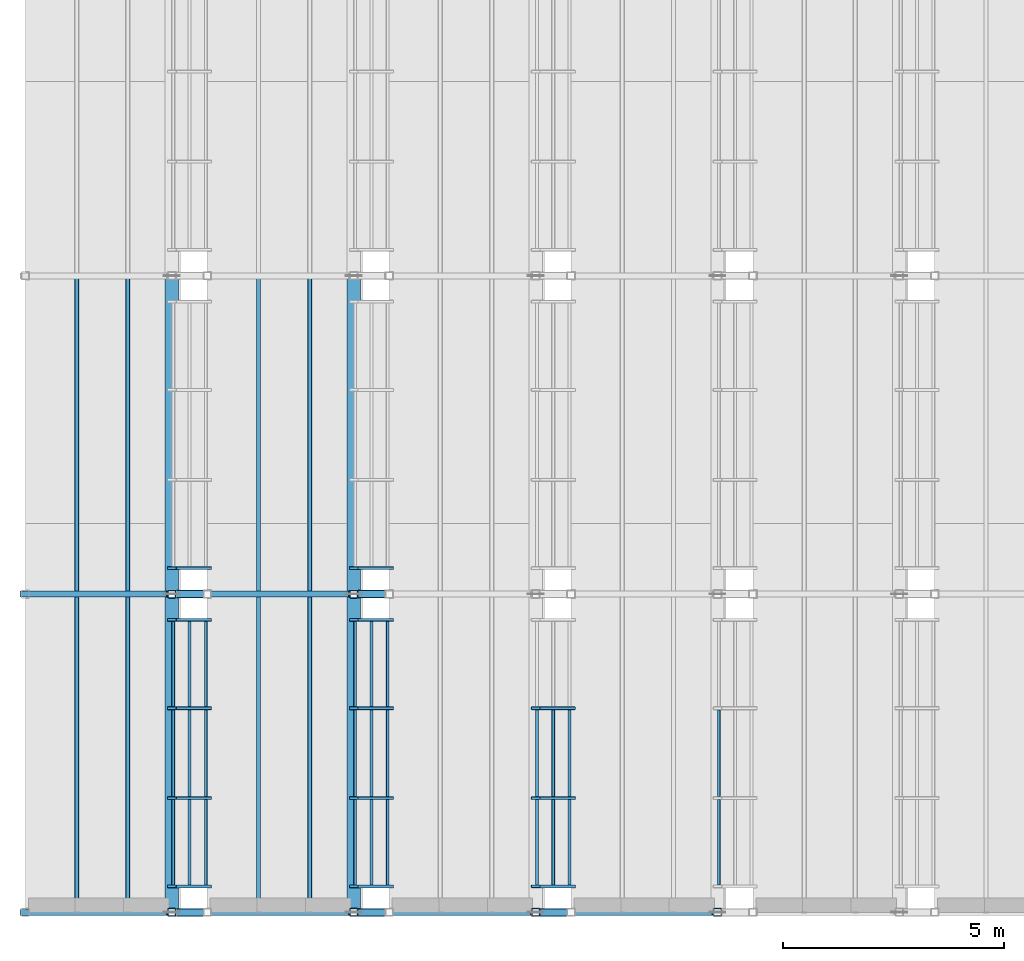
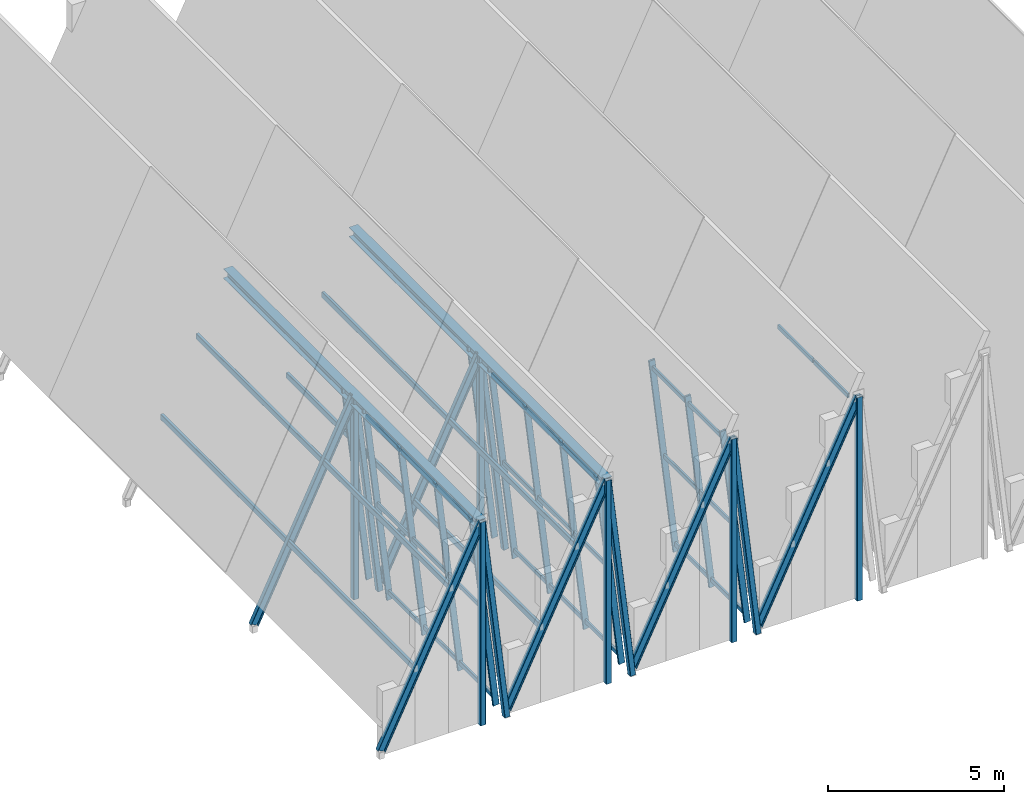
# One storey, part 1 of 28: 60 members, 2 beams, 6 elements without a shape of their own.
"""IFC4 building model written with IfcOpenShell, lengths in metres."""

from ifc_helpers import new_model, si_unit, direction, frame, origin, origin_2d, place, context, subcontext, project, spatial, hollow_rectangle, i_section, extrude, material, material_profile, profile_set, type_object, element, aggregate, save


model = new_model("IFC4")

# Units and contexts
model_context = context("Model", 3, precision=1e-05, world=origin(), true_north=direction((0.0, 1.0)))
body_context = subcontext(model_context, "Body", "Model", "MODEL_VIEW")
ifc_project = project(units=[si_unit("LENGTHUNIT", "METRE"), si_unit("AREAUNIT", "SQUARE_METRE"), si_unit("VOLUMEUNIT", "CUBIC_METRE"), si_unit("PLANEANGLEUNIT", "RADIAN"), si_unit("MASSUNIT", "GRAM", prefix="KILO")], contexts=[model_context])

# Site, building, storey
site_placement = place(None, origin())
site = spatial("IfcSite", under=ifc_project, at=site_placement, CompositionType="ELEMENT")
building_placement = place(site_placement, origin())
building = spatial("IfcBuilding", under=site, at=building_placement, Name="Bramveld Media Centre", CompositionType="ELEMENT")
storey_placement = place(building_placement, frame((0.0, 0.0, 33.89990234375)))
storey = spatial("IfcBuildingStorey", under=building, at=storey_placement, Name="ROOF", CompositionType="ELEMENT", Elevation=33.89990234375)

# Curtain wall, members
ifc_material_1 = material(Name="Thermally broken anodized bronze aluminium unitized curtain wall with solar-control triple glazing", Category="aluminium")
curtain_wall_type = type_object("IfcCurtainWallType", Name="CW-CRN-6100x6941", PredefinedType="NOTDEFINED", material=ifc_material_1)
curtain_wall_1_placement = place(storey_placement, origin())
curtain_wall_1 = element("IfcCurtainWall", 1, at=curtain_wall_1_placement, inside=storey, type_object=curtain_wall_type, Name="V7 crown clerestory B1-S1", PredefinedType="NOTDEFINED")
ifc_material_2 = material(Name="Thermally broken anodized bronze aluminium EN AW-6063 T6 curtain-wall framing", Category="aluminium")
ifc_material_profile_1 = material_profile(ifc_material_2, hollow_rectangle(XDim=0.070068359375, YDim=0.199951171875, WallThickness=0.00439453125, InnerFilletRadius=0.00439453125, OuterFilletRadius=0.009033203125, at=origin_2d()), Name="AL-MULL 70x200")
ifc_profile_set_1 = profile_set([ifc_material_profile_1], Name="Thermally broken anodized bronze aluminium EN AW-6063 T6 curtain-wall framing")
member_type_1 = type_object("IfcMemberType", Name="CW-MULL-SLP", PredefinedType="MULLION", material=ifc_profile_set_1)
member_1_placement = place(storey_placement, frame((135.314208984375, 83.784912109375, -0.02001953125), z_axis=(-0.115228868081, 0.0, 0.993338969315), x_axis=(0.0, -1.0, 0.0)))
member_1 = element("IfcMember", 2, at=member_1_placement, type_object=member_type_1, Name="CW-CR-6169 sloped mullion 1", PredefinedType="MULLION", context=body_context, shape_type="SweptSolid", body=[
    extrude(hollow_rectangle(XDim=0.070068359375, YDim=0.199951171875, WallThickness=0.00439453125, InnerFilletRadius=0.00439453125, OuterFilletRadius=0.009033203125, at=origin_2d()), origin(), (0.0, 0.0, 1.0), 6.94091796875),
])
member_2_placement = place(storey_placement, frame((135.314208984375, 85.783203125, -0.02001953125), z_axis=(-0.115228868081, 0.0, 0.993338969315), x_axis=(0.0, -1.0, 0.0)))
member_2 = element("IfcMember", 3, at=member_2_placement, type_object=member_type_1, Name="CW-CR-6169 sloped mullion 2", PredefinedType="MULLION", context=body_context, shape_type="SweptSolid", body=[
    extrude(hollow_rectangle(XDim=0.070068359375, YDim=0.199951171875, WallThickness=0.00439453125, InnerFilletRadius=0.00439453125, OuterFilletRadius=0.009033203125, at=origin_2d()), origin(), (0.0, 0.0, 1.0), 6.94091796875),
])
member_3_placement = place(storey_placement, frame((135.314208984375, 87.816650390625, -0.02001953125), z_axis=(-0.115228868081, 0.0, 0.993338969315), x_axis=(0.0, -1.0, 0.0)))
member_3 = element("IfcMember", 4, at=member_3_placement, type_object=member_type_1, Name="CW-CR-6169 sloped mullion 3", PredefinedType="MULLION", context=body_context, shape_type="SweptSolid", body=[
    extrude(hollow_rectangle(XDim=0.070068359375, YDim=0.199951171875, WallThickness=0.00439453125, InnerFilletRadius=0.00439453125, OuterFilletRadius=0.009033203125, at=origin_2d()), origin(), (0.0, 0.0, 1.0), 6.94091796875),
])
member_4_placement = place(storey_placement, frame((135.314208984375, 89.81494140625, -0.02001953125), z_axis=(-0.115228868081, 0.0, 0.993338969315), x_axis=(0.0, -1.0, 0.0)))
member_4 = element("IfcMember", 5, at=member_4_placement, type_object=member_type_1, Name="CW-CR-6169 sloped mullion 4", PredefinedType="MULLION", context=body_context, shape_type="SweptSolid", body=[
    extrude(hollow_rectangle(XDim=0.070068359375, YDim=0.199951171875, WallThickness=0.00439453125, InnerFilletRadius=0.00439453125, OuterFilletRadius=0.009033203125, at=origin_2d()), origin(), (0.0, 0.0, 1.0), 6.94091796875),
])

# Curtain wall, member
curtain_wall_2_placement = place(storey_placement, origin())
curtain_wall_2 = element("IfcCurtainWall", 6, at=curtain_wall_2_placement, inside=storey, type_object=curtain_wall_type, Name="V7 crown clerestory B1-S2", PredefinedType="NOTDEFINED")
member_5_placement = place(storey_placement, frame((135.314208984375, 90.985107421875, -0.02001953125), z_axis=(-0.115228868081, 0.0, 0.993338969315), x_axis=(0.0, -1.0, 0.0)))
member_5 = element("IfcMember", 7, at=member_5_placement, type_object=member_type_1, Name="CW-CR-6169 sloped mullion 1", PredefinedType="MULLION", context=body_context, shape_type="SweptSolid", body=[
    extrude(hollow_rectangle(XDim=0.070068359375, YDim=0.199951171875, WallThickness=0.00439453125, InnerFilletRadius=0.00439453125, OuterFilletRadius=0.009033203125, at=origin_2d()), origin(), (0.0, 0.0, 1.0), 6.94091796875),
])
aggregate(curtain_wall_2, [member_5])

# Curtain wall, members
curtain_wall_3_placement = place(storey_placement, origin())
curtain_wall_3 = element("IfcCurtainWall", 8, at=curtain_wall_3_placement, inside=storey, type_object=curtain_wall_type, Name="V7 crown clerestory B2-S1", PredefinedType="NOTDEFINED")
member_6_placement = place(storey_placement, frame((139.4287109375, 83.784912109375, -0.02001953125), z_axis=(-0.115263574492, 0.0, 0.993334942703), x_axis=(0.0, -1.0, 0.0)))
member_6 = element("IfcMember", 9, at=member_6_placement, type_object=member_type_1, Name="CW-CR-6169 sloped mullion 1", PredefinedType="MULLION", context=body_context, shape_type="SweptSolid", body=[
    extrude(hollow_rectangle(XDim=0.070068359375, YDim=0.199951171875, WallThickness=0.00439453125, InnerFilletRadius=0.00439453125, OuterFilletRadius=0.009033203125, at=origin_2d()), origin(), (0.0, 0.0, 1.0), 6.94091796875),
])
member_7_placement = place(storey_placement, frame((139.4287109375, 85.783203125, -0.02001953125), z_axis=(-0.115263574492, 0.0, 0.993334942703), x_axis=(0.0, -1.0, 0.0)))
member_7 = element("IfcMember", 10, at=member_7_placement, type_object=member_type_1, Name="CW-CR-6169 sloped mullion 2", PredefinedType="MULLION", context=body_context, shape_type="SweptSolid", body=[
    extrude(hollow_rectangle(XDim=0.070068359375, YDim=0.199951171875, WallThickness=0.00439453125, InnerFilletRadius=0.00439453125, OuterFilletRadius=0.009033203125, at=origin_2d()), origin(), (0.0, 0.0, 1.0), 6.94091796875),
])
member_8_placement = place(storey_placement, frame((139.4287109375, 87.816650390625, -0.02001953125), z_axis=(-0.115263574492, 0.0, 0.993334942703), x_axis=(0.0, -1.0, 0.0)))
member_8 = element("IfcMember", 11, at=member_8_placement, type_object=member_type_1, Name="CW-CR-6169 sloped mullion 3", PredefinedType="MULLION", context=body_context, shape_type="SweptSolid", body=[
    extrude(hollow_rectangle(XDim=0.070068359375, YDim=0.199951171875, WallThickness=0.00439453125, InnerFilletRadius=0.00439453125, OuterFilletRadius=0.009033203125, at=origin_2d()), origin(), (0.0, 0.0, 1.0), 6.94091796875),
])
member_9_placement = place(storey_placement, frame((139.4287109375, 89.81494140625, -0.02001953125), z_axis=(-0.115263574492, 0.0, 0.993334942703), x_axis=(0.0, -1.0, 0.0)))
member_9 = element("IfcMember", 12, at=member_9_placement, type_object=member_type_1, Name="CW-CR-6169 sloped mullion 4", PredefinedType="MULLION", context=body_context, shape_type="SweptSolid", body=[
    extrude(hollow_rectangle(XDim=0.070068359375, YDim=0.199951171875, WallThickness=0.00439453125, InnerFilletRadius=0.00439453125, OuterFilletRadius=0.009033203125, at=origin_2d()), origin(), (0.0, 0.0, 1.0), 6.94091796875),
])

# Curtain wall, member
curtain_wall_4_placement = place(storey_placement, origin())
curtain_wall_4 = element("IfcCurtainWall", 13, at=curtain_wall_4_placement, inside=storey, type_object=curtain_wall_type, Name="V7 crown clerestory B2-S2", PredefinedType="NOTDEFINED")
member_10_placement = place(storey_placement, frame((139.4287109375, 90.985107421875, -0.02001953125), z_axis=(-0.115263574492, 0.0, 0.993334942703), x_axis=(0.0, -1.0, 0.0)))
member_10 = element("IfcMember", 14, at=member_10_placement, type_object=member_type_1, Name="CW-CR-6169 sloped mullion 1", PredefinedType="MULLION", context=body_context, shape_type="SweptSolid", body=[
    extrude(hollow_rectangle(XDim=0.070068359375, YDim=0.199951171875, WallThickness=0.00439453125, InnerFilletRadius=0.00439453125, OuterFilletRadius=0.009033203125, at=origin_2d()), origin(), (0.0, 0.0, 1.0), 6.94091796875),
])
aggregate(curtain_wall_4, [member_10])

# Curtain wall, members
curtain_wall_5_placement = place(storey_placement, origin())
curtain_wall_5 = element("IfcCurtainWall", 15, at=curtain_wall_5_placement, inside=storey, type_object=curtain_wall_type, Name="V7 crown clerestory B3-S1", PredefinedType="NOTDEFINED")
member_11_placement = place(storey_placement, frame((143.54296875, 83.784912109375, -0.02001953125), z_axis=(-0.115263574492, 0.0, 0.993334942703), x_axis=(0.0, -1.0, 0.0)))
member_11 = element("IfcMember", 16, at=member_11_placement, type_object=member_type_1, Name="CW-CR-6169 sloped mullion 1", PredefinedType="MULLION", context=body_context, shape_type="SweptSolid", body=[
    extrude(hollow_rectangle(XDim=0.070068359375, YDim=0.199951171875, WallThickness=0.00439453125, InnerFilletRadius=0.00439453125, OuterFilletRadius=0.009033203125, at=origin_2d()), origin(), (0.0, 0.0, 1.0), 6.94091796875),
])
member_12_placement = place(storey_placement, frame((143.54296875, 85.783203125, -0.02001953125), z_axis=(-0.115263574492, 0.0, 0.993334942703), x_axis=(0.0, -1.0, 0.0)))
member_12 = element("IfcMember", 17, at=member_12_placement, type_object=member_type_1, Name="CW-CR-6169 sloped mullion 2", PredefinedType="MULLION", context=body_context, shape_type="SweptSolid", body=[
    extrude(hollow_rectangle(XDim=0.070068359375, YDim=0.199951171875, WallThickness=0.00439453125, InnerFilletRadius=0.00439453125, OuterFilletRadius=0.009033203125, at=origin_2d()), origin(), (0.0, 0.0, 1.0), 6.94091796875),
])
member_13_placement = place(storey_placement, frame((143.54296875, 87.816650390625, -0.02001953125), z_axis=(-0.115263574492, 0.0, 0.993334942703), x_axis=(0.0, -1.0, 0.0)))
member_13 = element("IfcMember", 18, at=member_13_placement, type_object=member_type_1, Name="CW-CR-6169 sloped mullion 3", PredefinedType="MULLION", context=body_context, shape_type="SweptSolid", body=[
    extrude(hollow_rectangle(XDim=0.070068359375, YDim=0.199951171875, WallThickness=0.00439453125, InnerFilletRadius=0.00439453125, OuterFilletRadius=0.009033203125, at=origin_2d()), origin(), (0.0, 0.0, 1.0), 6.94091796875),
])

# Member
ifc_material_3 = material(Name="Thermally broken anodized bronze aluminium EN AW-6063 T6 curtain-wall framing", Category="aluminium")
ifc_material_profile_2 = material_profile(ifc_material_3, hollow_rectangle(XDim=0.070068359375, YDim=0.14990234375, WallThickness=0.00390625, InnerFilletRadius=0.00390625, OuterFilletRadius=0.008056640625, at=origin_2d()), Name="AL-TRAN 70x150")
ifc_profile_set_2 = profile_set([ifc_material_profile_2], Name="Thermally broken anodized bronze aluminium EN AW-6063 T6 curtain-wall framing")
member_type_2 = type_object("IfcMemberType", Name="CW-TRAN-SLP", PredefinedType="USERDEFINED", material=ifc_profile_set_2)
member_14_placement = place(storey_placement, frame((135.2822265625, 83.820068359375, 0.255859375), z_axis=(0.0, 1.0, 0.0), x_axis=(-1.0, 0.0, 0.0)))
member_14 = element("IfcMember", 19, at=member_14_placement, type_object=member_type_2, Name="CW-CR-6169 transom 1.1", ObjectType="TRANSOM", PredefinedType="USERDEFINED", context=body_context, shape_type="SweptSolid", body=[
    extrude(hollow_rectangle(XDim=0.070068359375, YDim=0.14990234375, WallThickness=0.00390625, InnerFilletRadius=0.00390625, OuterFilletRadius=0.008056640625, at=origin_2d()), origin(), (0.0, 0.0, 1.0), 1.92822265625),
])

member_15_placement = place(storey_placement, frame((134.914306640625, 83.820068359375, 3.427490234375), z_axis=(0.0, 1.0, 0.0), x_axis=(-1.0, 0.0, 0.0)))
member_15 = element("IfcMember", 20, at=member_15_placement, type_object=member_type_2, Name="CW-CR-6169 transom 1.2", ObjectType="TRANSOM", PredefinedType="USERDEFINED", context=body_context, shape_type="SweptSolid", body=[
    extrude(hollow_rectangle(XDim=0.070068359375, YDim=0.14990234375, WallThickness=0.00390625, InnerFilletRadius=0.00390625, OuterFilletRadius=0.008056640625, at=origin_2d()), origin(), (0.0, 0.0, 1.0), 1.92822265625),
])

member_16_placement = place(storey_placement, frame((134.54638671875, 83.820068359375, 6.598876953125), z_axis=(0.0, 1.0, 0.0), x_axis=(-1.0, 0.0, 0.0)))
member_16 = element("IfcMember", 21, at=member_16_placement, type_object=member_type_2, Name="CW-CR-6169 transom 1.3", ObjectType="TRANSOM", PredefinedType="USERDEFINED", context=body_context, shape_type="SweptSolid", body=[
    extrude(hollow_rectangle(XDim=0.070068359375, YDim=0.14990234375, WallThickness=0.00390625, InnerFilletRadius=0.00390625, OuterFilletRadius=0.008056640625, at=origin_2d()), origin(), (0.0, 0.0, 1.0), 1.92822265625),
])

member_17_placement = place(storey_placement, frame((135.2822265625, 85.818359375, 0.255859375), z_axis=(0.0, 1.0, 0.0), x_axis=(-1.0, 0.0, 0.0)))
member_17 = element("IfcMember", 22, at=member_17_placement, type_object=member_type_2, Name="CW-CR-6169 transom 2.1", ObjectType="TRANSOM", PredefinedType="USERDEFINED", context=body_context, shape_type="SweptSolid", body=[
    extrude(hollow_rectangle(XDim=0.070068359375, YDim=0.14990234375, WallThickness=0.00390625, InnerFilletRadius=0.00390625, OuterFilletRadius=0.008056640625, at=origin_2d()), origin(), (0.0, 0.0, 1.0), 1.96337890625),
])

member_18_placement = place(storey_placement, frame((134.914306640625, 85.818359375, 3.427490234375), z_axis=(0.0, 1.0, 0.0), x_axis=(-1.0, 0.0, 0.0)))
member_18 = element("IfcMember", 23, at=member_18_placement, type_object=member_type_2, Name="CW-CR-6169 transom 2.2", ObjectType="TRANSOM", PredefinedType="USERDEFINED", context=body_context, shape_type="SweptSolid", body=[
    extrude(hollow_rectangle(XDim=0.070068359375, YDim=0.14990234375, WallThickness=0.00390625, InnerFilletRadius=0.00390625, OuterFilletRadius=0.008056640625, at=origin_2d()), origin(), (0.0, 0.0, 1.0), 1.96337890625),
])

member_19_placement = place(storey_placement, frame((134.54638671875, 85.818359375, 6.598876953125), z_axis=(0.0, 1.0, 0.0), x_axis=(-1.0, 0.0, 0.0)))
member_19 = element("IfcMember", 24, at=member_19_placement, type_object=member_type_2, Name="CW-CR-6169 transom 2.3", ObjectType="TRANSOM", PredefinedType="USERDEFINED", context=body_context, shape_type="SweptSolid", body=[
    extrude(hollow_rectangle(XDim=0.070068359375, YDim=0.14990234375, WallThickness=0.00390625, InnerFilletRadius=0.00390625, OuterFilletRadius=0.008056640625, at=origin_2d()), origin(), (0.0, 0.0, 1.0), 1.96337890625),
])

member_20_placement = place(storey_placement, frame((135.2822265625, 87.851806640625, 0.255859375), z_axis=(0.0, 1.0, 0.0), x_axis=(-1.0, 0.0, 0.0)))
member_20 = element("IfcMember", 25, at=member_20_placement, type_object=member_type_2, Name="CW-CR-6169 transom 3.1", ObjectType="TRANSOM", PredefinedType="USERDEFINED", context=body_context, shape_type="SweptSolid", body=[
    extrude(hollow_rectangle(XDim=0.070068359375, YDim=0.14990234375, WallThickness=0.00390625, InnerFilletRadius=0.00390625, OuterFilletRadius=0.008056640625, at=origin_2d()), origin(), (0.0, 0.0, 1.0), 1.92822265625),
])

member_21_placement = place(storey_placement, frame((134.914306640625, 87.851806640625, 3.427490234375), z_axis=(0.0, 1.0, 0.0), x_axis=(-1.0, 0.0, 0.0)))
member_21 = element("IfcMember", 26, at=member_21_placement, type_object=member_type_2, Name="CW-CR-6169 transom 3.2", ObjectType="TRANSOM", PredefinedType="USERDEFINED", context=body_context, shape_type="SweptSolid", body=[
    extrude(hollow_rectangle(XDim=0.070068359375, YDim=0.14990234375, WallThickness=0.00390625, InnerFilletRadius=0.00390625, OuterFilletRadius=0.008056640625, at=origin_2d()), origin(), (0.0, 0.0, 1.0), 1.92822265625),
])

member_22_placement = place(storey_placement, frame((134.54638671875, 87.851806640625, 6.598876953125), z_axis=(0.0, 1.0, 0.0), x_axis=(-1.0, 0.0, 0.0)))
member_22 = element("IfcMember", 27, at=member_22_placement, type_object=member_type_2, Name="CW-CR-6169 transom 3.3", ObjectType="TRANSOM", PredefinedType="USERDEFINED", context=body_context, shape_type="SweptSolid", body=[
    extrude(hollow_rectangle(XDim=0.070068359375, YDim=0.14990234375, WallThickness=0.00390625, InnerFilletRadius=0.00390625, OuterFilletRadius=0.008056640625, at=origin_2d()), origin(), (0.0, 0.0, 1.0), 1.92822265625),
])

aggregate(curtain_wall_1, [member_1, member_2, member_3, member_4, member_14, member_15, member_16, member_17, member_18, member_19, member_20, member_21, member_22])

member_23_placement = place(storey_placement, frame((139.396484375, 83.820068359375, 0.255859375), z_axis=(0.0, 1.0, 0.0), x_axis=(-1.0, 0.0, 0.0)))
member_23 = element("IfcMember", 28, at=member_23_placement, type_object=member_type_2, Name="CW-CR-6169 transom 1.1", ObjectType="TRANSOM", PredefinedType="USERDEFINED", context=body_context, shape_type="SweptSolid", body=[
    extrude(hollow_rectangle(XDim=0.070068359375, YDim=0.14990234375, WallThickness=0.00390625, InnerFilletRadius=0.00390625, OuterFilletRadius=0.008056640625, at=origin_2d()), origin(), (0.0, 0.0, 1.0), 1.92822265625),
])

member_24_placement = place(storey_placement, frame((139.028564453125, 83.820068359375, 3.427490234375), z_axis=(0.0, 1.0, 0.0), x_axis=(-1.0, 0.0, 0.0)))
member_24 = element("IfcMember", 29, at=member_24_placement, type_object=member_type_2, Name="CW-CR-6169 transom 1.2", ObjectType="TRANSOM", PredefinedType="USERDEFINED", context=body_context, shape_type="SweptSolid", body=[
    extrude(hollow_rectangle(XDim=0.070068359375, YDim=0.14990234375, WallThickness=0.00390625, InnerFilletRadius=0.00390625, OuterFilletRadius=0.008056640625, at=origin_2d()), origin(), (0.0, 0.0, 1.0), 1.92822265625),
])

member_25_placement = place(storey_placement, frame((138.66064453125, 83.820068359375, 6.598876953125), z_axis=(0.0, 1.0, 0.0), x_axis=(-1.0, 0.0, 0.0)))
member_25 = element("IfcMember", 30, at=member_25_placement, type_object=member_type_2, Name="CW-CR-6169 transom 1.3", ObjectType="TRANSOM", PredefinedType="USERDEFINED", context=body_context, shape_type="SweptSolid", body=[
    extrude(hollow_rectangle(XDim=0.070068359375, YDim=0.14990234375, WallThickness=0.00390625, InnerFilletRadius=0.00390625, OuterFilletRadius=0.008056640625, at=origin_2d()), origin(), (0.0, 0.0, 1.0), 1.92822265625),
])

member_26_placement = place(storey_placement, frame((139.396484375, 85.818359375, 0.255859375), z_axis=(0.0, 1.0, 0.0), x_axis=(-1.0, 0.0, 0.0)))
member_26 = element("IfcMember", 31, at=member_26_placement, type_object=member_type_2, Name="CW-CR-6169 transom 2.1", ObjectType="TRANSOM", PredefinedType="USERDEFINED", context=body_context, shape_type="SweptSolid", body=[
    extrude(hollow_rectangle(XDim=0.070068359375, YDim=0.14990234375, WallThickness=0.00390625, InnerFilletRadius=0.00390625, OuterFilletRadius=0.008056640625, at=origin_2d()), origin(), (0.0, 0.0, 1.0), 1.96337890625),
])

member_27_placement = place(storey_placement, frame((139.028564453125, 85.818359375, 3.427490234375), z_axis=(0.0, 1.0, 0.0), x_axis=(-1.0, 0.0, 0.0)))
member_27 = element("IfcMember", 32, at=member_27_placement, type_object=member_type_2, Name="CW-CR-6169 transom 2.2", ObjectType="TRANSOM", PredefinedType="USERDEFINED", context=body_context, shape_type="SweptSolid", body=[
    extrude(hollow_rectangle(XDim=0.070068359375, YDim=0.14990234375, WallThickness=0.00390625, InnerFilletRadius=0.00390625, OuterFilletRadius=0.008056640625, at=origin_2d()), origin(), (0.0, 0.0, 1.0), 1.96337890625),
])

member_28_placement = place(storey_placement, frame((138.66064453125, 85.818359375, 6.598876953125), z_axis=(0.0, 1.0, 0.0), x_axis=(-1.0, 0.0, 0.0)))
member_28 = element("IfcMember", 33, at=member_28_placement, type_object=member_type_2, Name="CW-CR-6169 transom 2.3", ObjectType="TRANSOM", PredefinedType="USERDEFINED", context=body_context, shape_type="SweptSolid", body=[
    extrude(hollow_rectangle(XDim=0.070068359375, YDim=0.14990234375, WallThickness=0.00390625, InnerFilletRadius=0.00390625, OuterFilletRadius=0.008056640625, at=origin_2d()), origin(), (0.0, 0.0, 1.0), 1.96337890625),
])

member_29_placement = place(storey_placement, frame((139.396484375, 87.851806640625, 0.255859375), z_axis=(0.0, 1.0, 0.0), x_axis=(-1.0, 0.0, 0.0)))
member_29 = element("IfcMember", 34, at=member_29_placement, type_object=member_type_2, Name="CW-CR-6169 transom 3.1", ObjectType="TRANSOM", PredefinedType="USERDEFINED", context=body_context, shape_type="SweptSolid", body=[
    extrude(hollow_rectangle(XDim=0.070068359375, YDim=0.14990234375, WallThickness=0.00390625, InnerFilletRadius=0.00390625, OuterFilletRadius=0.008056640625, at=origin_2d()), origin(), (0.0, 0.0, 1.0), 1.92822265625),
])

member_30_placement = place(storey_placement, frame((139.028564453125, 87.851806640625, 3.427490234375), z_axis=(0.0, 1.0, 0.0), x_axis=(-1.0, 0.0, 0.0)))
member_30 = element("IfcMember", 35, at=member_30_placement, type_object=member_type_2, Name="CW-CR-6169 transom 3.2", ObjectType="TRANSOM", PredefinedType="USERDEFINED", context=body_context, shape_type="SweptSolid", body=[
    extrude(hollow_rectangle(XDim=0.070068359375, YDim=0.14990234375, WallThickness=0.00390625, InnerFilletRadius=0.00390625, OuterFilletRadius=0.008056640625, at=origin_2d()), origin(), (0.0, 0.0, 1.0), 1.92822265625),
])

member_31_placement = place(storey_placement, frame((138.66064453125, 87.851806640625, 6.598876953125), z_axis=(0.0, 1.0, 0.0), x_axis=(-1.0, 0.0, 0.0)))
member_31 = element("IfcMember", 36, at=member_31_placement, type_object=member_type_2, Name="CW-CR-6169 transom 3.3", ObjectType="TRANSOM", PredefinedType="USERDEFINED", context=body_context, shape_type="SweptSolid", body=[
    extrude(hollow_rectangle(XDim=0.070068359375, YDim=0.14990234375, WallThickness=0.00390625, InnerFilletRadius=0.00390625, OuterFilletRadius=0.008056640625, at=origin_2d()), origin(), (0.0, 0.0, 1.0), 1.92822265625),
])

aggregate(curtain_wall_3, [member_6, member_7, member_8, member_9, member_23, member_24, member_25, member_26, member_27, member_28, member_29, member_30, member_31])

member_32_placement = place(storey_placement, frame((143.510986328125, 83.820068359375, 0.255859375), z_axis=(0.0, 1.0, 0.0), x_axis=(-1.0, 0.0, 0.0)))
member_32 = element("IfcMember", 37, at=member_32_placement, type_object=member_type_2, Name="CW-CR-6169 transom 1.1", ObjectType="TRANSOM", PredefinedType="USERDEFINED", context=body_context, shape_type="SweptSolid", body=[
    extrude(hollow_rectangle(XDim=0.070068359375, YDim=0.14990234375, WallThickness=0.00390625, InnerFilletRadius=0.00390625, OuterFilletRadius=0.008056640625, at=origin_2d()), origin(), (0.0, 0.0, 1.0), 1.92822265625),
])

member_33_placement = place(storey_placement, frame((143.142822265625, 83.820068359375, 3.427490234375), z_axis=(0.0, 1.0, 0.0), x_axis=(-1.0, 0.0, 0.0)))
member_33 = element("IfcMember", 38, at=member_33_placement, type_object=member_type_2, Name="CW-CR-6169 transom 1.2", ObjectType="TRANSOM", PredefinedType="USERDEFINED", context=body_context, shape_type="SweptSolid", body=[
    extrude(hollow_rectangle(XDim=0.070068359375, YDim=0.14990234375, WallThickness=0.00390625, InnerFilletRadius=0.00390625, OuterFilletRadius=0.008056640625, at=origin_2d()), origin(), (0.0, 0.0, 1.0), 1.92822265625),
])

member_34_placement = place(storey_placement, frame((142.77490234375, 83.820068359375, 6.598876953125), z_axis=(0.0, 1.0, 0.0), x_axis=(-1.0, 0.0, 0.0)))
member_34 = element("IfcMember", 39, at=member_34_placement, type_object=member_type_2, Name="CW-CR-6169 transom 1.3", ObjectType="TRANSOM", PredefinedType="USERDEFINED", context=body_context, shape_type="SweptSolid", body=[
    extrude(hollow_rectangle(XDim=0.070068359375, YDim=0.14990234375, WallThickness=0.00390625, InnerFilletRadius=0.00390625, OuterFilletRadius=0.008056640625, at=origin_2d()), origin(), (0.0, 0.0, 1.0), 1.92822265625),
])

member_35_placement = place(storey_placement, frame((143.510986328125, 85.818359375, 0.255859375), z_axis=(0.0, 1.0, 0.0), x_axis=(-1.0, 0.0, 0.0)))
member_35 = element("IfcMember", 40, at=member_35_placement, type_object=member_type_2, Name="CW-CR-6169 transom 2.1", ObjectType="TRANSOM", PredefinedType="USERDEFINED", context=body_context, shape_type="SweptSolid", body=[
    extrude(hollow_rectangle(XDim=0.070068359375, YDim=0.14990234375, WallThickness=0.00390625, InnerFilletRadius=0.00390625, OuterFilletRadius=0.008056640625, at=origin_2d()), origin(), (0.0, 0.0, 1.0), 1.96337890625),
])

member_36_placement = place(storey_placement, frame((143.142822265625, 85.818359375, 3.427490234375), z_axis=(0.0, 1.0, 0.0), x_axis=(-1.0, 0.0, 0.0)))
member_36 = element("IfcMember", 41, at=member_36_placement, type_object=member_type_2, Name="CW-CR-6169 transom 2.2", ObjectType="TRANSOM", PredefinedType="USERDEFINED", context=body_context, shape_type="SweptSolid", body=[
    extrude(hollow_rectangle(XDim=0.070068359375, YDim=0.14990234375, WallThickness=0.00390625, InnerFilletRadius=0.00390625, OuterFilletRadius=0.008056640625, at=origin_2d()), origin(), (0.0, 0.0, 1.0), 1.96337890625),
])

member_37_placement = place(storey_placement, frame((142.77490234375, 85.818359375, 6.598876953125), z_axis=(0.0, 1.0, 0.0), x_axis=(-1.0, 0.0, 0.0)))
member_37 = element("IfcMember", 42, at=member_37_placement, type_object=member_type_2, Name="CW-CR-6169 transom 2.3", ObjectType="TRANSOM", PredefinedType="USERDEFINED", context=body_context, shape_type="SweptSolid", body=[
    extrude(hollow_rectangle(XDim=0.070068359375, YDim=0.14990234375, WallThickness=0.00390625, InnerFilletRadius=0.00390625, OuterFilletRadius=0.008056640625, at=origin_2d()), origin(), (0.0, 0.0, 1.0), 1.96337890625),
])

aggregate(curtain_wall_5, [member_11, member_12, member_13, member_32, member_33, member_34, member_35, member_36, member_37])

# Curtain wall, members
curtain_wall_6_placement = place(storey_placement, origin())
curtain_wall_6 = element("IfcCurtainWall", 43, at=curtain_wall_6_placement, inside=storey, type_object=curtain_wall_type, Name="V7 crown clerestory B4-S1", PredefinedType="NOTDEFINED")
member_38_placement = place(storey_placement, frame((146.88916015625, 83.820068359375, 6.598876953125), z_axis=(0.0, 1.0, 0.0), x_axis=(-1.0, 0.0, 0.0)))
member_38 = element("IfcMember", 44, at=member_38_placement, type_object=member_type_2, Name="CW-CR-6169 transom 1.3", ObjectType="TRANSOM", PredefinedType="USERDEFINED", context=body_context, shape_type="SweptSolid", body=[
    extrude(hollow_rectangle(XDim=0.070068359375, YDim=0.14990234375, WallThickness=0.00390625, InnerFilletRadius=0.00390625, OuterFilletRadius=0.008056640625, at=origin_2d()), origin(), (0.0, 0.0, 1.0), 1.92822265625),
])
member_39_placement = place(storey_placement, frame((146.88916015625, 85.818359375, 6.598876953125), z_axis=(0.0, 1.0, 0.0), x_axis=(-1.0, 0.0, 0.0)))
member_39 = element("IfcMember", 45, at=member_39_placement, type_object=member_type_2, Name="CW-CR-6169 transom 2.3", ObjectType="TRANSOM", PredefinedType="USERDEFINED", context=body_context, shape_type="SweptSolid", body=[
    extrude(hollow_rectangle(XDim=0.070068359375, YDim=0.14990234375, WallThickness=0.00390625, InnerFilletRadius=0.00390625, OuterFilletRadius=0.008056640625, at=origin_2d()), origin(), (0.0, 0.0, 1.0), 1.96337890625),
])
aggregate(curtain_wall_6, [member_38, member_39])

# Members
ifc_material_4 = material(Name="Steel S355J2H", Category="steel")
ifc_material_profile_3 = material_profile(ifc_material_4, hollow_rectangle(XDim=0.179931640625, YDim=0.179931640625, WallThickness=0.010009765625, InnerFilletRadius=0.010009765625, OuterFilletRadius=0.02001953125, at=origin_2d()), Name="SHS 180x180x10")
ifc_profile_set_3 = profile_set([ifc_material_profile_3], Name="Steel S355J2H")
member_type_3 = type_object("IfcMemberType", Name="MEM-POST-SHS180", PredefinedType="POST", material=ifc_profile_set_3)
for number, where, z_axis, x_axis, name in (
    (46, (134.514404296875, 83.199951171875, -0.0498046875), (0.0, 0.0, 1.0), (1.0, 0.0, 0.0), "CRN-FR-B01-F1 gable kingpost"),
    (47, (134.514404296875, 90.39990234375, -0.0498046875), (0.0, 0.0, 1.0), (1.0, 0.0, 0.0), "CRN-FR-B01-F2 gable kingpost"),
    (48, (138.628662109375, 83.199951171875, -0.0498046875), (0.0, 0.0, 1.0), (1.0, 0.0, 0.0), "CRN-FR-B02-F1 gable kingpost"),
    (49, (138.628662109375, 90.39990234375, -0.0498046875), (0.0, 0.0, 1.0), (1.0, 0.0, 0.0), "CRN-FR-B02-F2 gable kingpost"),
    (50, (142.742919921875, 83.199951171875, -0.0498046875), (0.0, 0.0, 1.0), (1.0, 0.0, 0.0), "CRN-FR-B03-F1 gable kingpost"),
    (51, (146.857177734375, 83.199951171875, -0.0498046875), (0.0, 0.0, 1.0), (1.0, 0.0, 0.0), "CRN-FR-B04-F1 gable kingpost"),
):
    element("IfcMember", number, at=place(storey_placement, frame(where, z_axis=z_axis, x_axis=x_axis)), inside=storey, type_object=member_type_3, Name=name, PredefinedType="POST", context=body_context, shape_type="SweptSolid", body=[
        extrude(hollow_rectangle(XDim=0.179931640625, YDim=0.179931640625, WallThickness=0.010009765625, InnerFilletRadius=0.010009765625, OuterFilletRadius=0.02001953125, at=origin_2d()), origin(), (0.0, 0.0, 1.0), 7.044677734375),
    ])
ifc_material_5 = material(Name="Steel S355J2H", Category="steel")
ifc_material_profile_4 = material_profile(ifc_material_5, hollow_rectangle(XDim=0.10009765625, YDim=0.199951171875, WallThickness=0.008056640625, InnerFilletRadius=0.008056640625, OuterFilletRadius=0.01611328125, at=origin_2d()), Name="RHS 200x100x8")
ifc_profile_set_4 = profile_set([ifc_material_profile_4], Name="Steel S355J2H")
member_type_4 = type_object("IfcMemberType", Name="MEM-PURLIN-RHS200", PredefinedType="PURLIN", material=ifc_profile_set_4)
for number, where, z_axis, x_axis, name in (
    (52, (132.360107421875, 83.199951171875, 2.61083984375), (0.0, 1.0, 0.0), (-1.0, 0.0, 0.0), "V7 crown gable purlin"),
    (53, (133.52001953125, 83.199951171875, 4.997802734375), (0.0, 1.0, 0.0), (-1.0, 0.0, 0.0), "V7 crown gable purlin"),
    (54, (136.474365234375, 83.199951171875, 2.61083984375), (0.0, 1.0, 0.0), (-1.0, 0.0, 0.0), "V7 crown gable purlin"),
    (55, (137.63427734375, 83.199951171875, 4.997802734375), (0.0, 1.0, 0.0), (-1.0, 0.0, 0.0), "V7 crown gable purlin"),
):
    element("IfcMember", number, at=place(storey_placement, frame(where, z_axis=z_axis, x_axis=x_axis)), inside=storey, type_object=member_type_4, Name=name, PredefinedType="PURLIN", context=body_context, shape_type="SweptSolid", body=[
        extrude(hollow_rectangle(XDim=0.10009765625, YDim=0.199951171875, WallThickness=0.008056640625, InnerFilletRadius=0.008056640625, OuterFilletRadius=0.01611328125, at=origin_2d()), origin(), (0.0, 0.0, 1.0), 14.400146484375),
    ])
ifc_material_6 = material(Name="Steel S355J2", Category="steel")
ifc_material_profile_5 = material_profile(ifc_material_6, i_section(OverallWidth=0.135009765625, OverallDepth=0.27001953125, WebThickness=0.006591796875, FlangeThickness=0.01025390625, FilletRadius=0.014892578125, at=origin_2d()), Name="IPE 270")
ifc_profile_set_5 = profile_set([ifc_material_profile_5], Name="Steel S355J2")
member_type_5 = type_object("IfcMemberType", Name="MEM-RAFTER-IPE270", PredefinedType="RAFTER", material=ifc_profile_set_5)
for number, where, z_axis, x_axis, name in (
    (56, (131.199951171875, 83.199951171875, 0.1748046875), (0.437101193692, 0.0, 0.899412333956), (0.0, 1.0, 0.0), "CRN-FR-B01-F1 gable rafter"),
    (57, (131.199951171875, 90.39990234375, 0.1748046875), (0.437101193692, 0.0, 0.899412333956), (0.0, 1.0, 0.0), "CRN-FR-B01-F2 gable rafter"),
    (58, (135.314208984375, 83.199951171875, 0.1748046875), (0.437101193692, 0.0, 0.899412333956), (0.0, 1.0, 0.0), "CRN-FR-B02-F1 gable rafter"),
    (59, (135.314208984375, 90.39990234375, 0.1748046875), (0.437101193692, 0.0, 0.899412333956), (0.0, 1.0, 0.0), "CRN-FR-B02-F2 gable rafter"),
    (60, (139.4287109375, 83.199951171875, 0.1748046875), (0.437075147934, 0.0, 0.899424991347), (0.0, 1.0, 0.0), "CRN-FR-B03-F1 gable rafter"),
    (61, (143.54296875, 83.199951171875, 0.1748046875), (0.437075147934, 0.0, 0.899424991347), (0.0, 1.0, 0.0), "CRN-FR-B04-F1 gable rafter"),
):
    element("IfcMember", number, at=place(storey_placement, frame(where, z_axis=z_axis, x_axis=x_axis)), inside=storey, type_object=member_type_5, Name=name, PredefinedType="RAFTER", context=body_context, shape_type="SweptSolid", body=[
        extrude(i_section(OverallWidth=0.135009765625, OverallDepth=0.27001953125, WebThickness=0.006591796875, FlangeThickness=0.01025390625, FilletRadius=0.014892578125, at=origin_2d()), origin(), (0.0, 0.0, 1.0), 7.582763671875),
    ])
ifc_material_7 = material(Name="Steel S355J2H", Category="steel")
ifc_material_profile_6 = material_profile(ifc_material_7, hollow_rectangle(XDim=0.179931640625, YDim=0.179931640625, WallThickness=0.010009765625, InnerFilletRadius=0.010009765625, OuterFilletRadius=0.02001953125, at=origin_2d()), Name="SHS 180x180x10")
ifc_profile_set_6 = profile_set([ifc_material_profile_6], Name="Steel S355J2H")
member_type_6 = type_object("IfcMemberType", Name="MEM-STRUT-SHS180", PredefinedType="STRUT", material=ifc_profile_set_6)
for number, where, z_axis, x_axis, name in (
    (62, (135.314208984375, 83.199951171875, -0.0498046875), (-0.112808472616, 0.0, 0.993616751321), (0.0, -1.0, 0.0), "CRN-FR-B01-F1 gable strut"),
    (63, (135.314208984375, 90.39990234375, -0.0498046875), (-0.112808472616, 0.0, 0.993616751321), (0.0, -1.0, 0.0), "CRN-FR-B01-F2 gable strut"),
    (64, (139.4287109375, 83.199951171875, -0.0498046875), (-0.112842469029, 0.0, 0.993612891011), (0.0, -1.0, 0.0), "CRN-FR-B02-F1 gable strut"),
    (65, (139.4287109375, 90.39990234375, -0.0498046875), (-0.112842469029, 0.0, 0.993612891011), (0.0, -1.0, 0.0), "CRN-FR-B02-F2 gable strut"),
    (66, (143.54296875, 83.199951171875, -0.0498046875), (-0.112842469029, 0.0, 0.993612891011), (0.0, -1.0, 0.0), "CRN-FR-B03-F1 gable strut"),
):
    element("IfcMember", number, at=place(storey_placement, frame(where, z_axis=z_axis, x_axis=x_axis)), inside=storey, type_object=member_type_6, Name=name, PredefinedType="STRUT", context=body_context, shape_type="SweptSolid", body=[
        extrude(hollow_rectangle(XDim=0.179931640625, YDim=0.179931640625, WallThickness=0.010009765625, InnerFilletRadius=0.010009765625, OuterFilletRadius=0.02001953125, at=origin_2d()), origin(), (0.0, 0.0, 1.0), 7.08984375),
    ])

# Beams
ifc_material_8 = material(Name="Steel S355J2", Category="steel")
ifc_material_profile_7 = material_profile(ifc_material_8, i_section(OverallWidth=0.300048828125, OverallDepth=0.330078125, WebThickness=0.009521484375, FlangeThickness=0.0166015625, FilletRadius=0.027099609375, at=origin_2d()), Name="HEA 340")
ifc_profile_set_7 = profile_set([ifc_material_profile_7], Name="Steel S355J2")
beam_type = type_object("IfcBeamType", Name="SBM-INT-HEA-340", PredefinedType="BEAM", material=ifc_profile_set_7)
for number, where, z_axis, x_axis, name in (
    (67, (134.514404296875, 83.199951171875, 6.85986328125), (0.0, 1.0, 0.0), (-1.0, 0.0, 0.0), "V7 crown ridge tie beam"),
    (68, (138.628662109375, 83.199951171875, 6.85986328125), (0.0, 1.0, 0.0), (-1.0, 0.0, 0.0), "V7 crown ridge tie beam"),
):
    element("IfcBeam", number, at=place(storey_placement, frame(where, z_axis=z_axis, x_axis=x_axis)), inside=storey, type_object=beam_type, Name=name, PredefinedType="BEAM", context=body_context, shape_type="SweptSolid", body=[
        extrude(i_section(OverallWidth=0.300048828125, OverallDepth=0.330078125, WebThickness=0.009521484375, FlangeThickness=0.0166015625, FilletRadius=0.027099609375, at=origin_2d()), origin(), (0.0, 0.0, 1.0), 14.400146484375),
    ])

save(model, "model.ifc")
